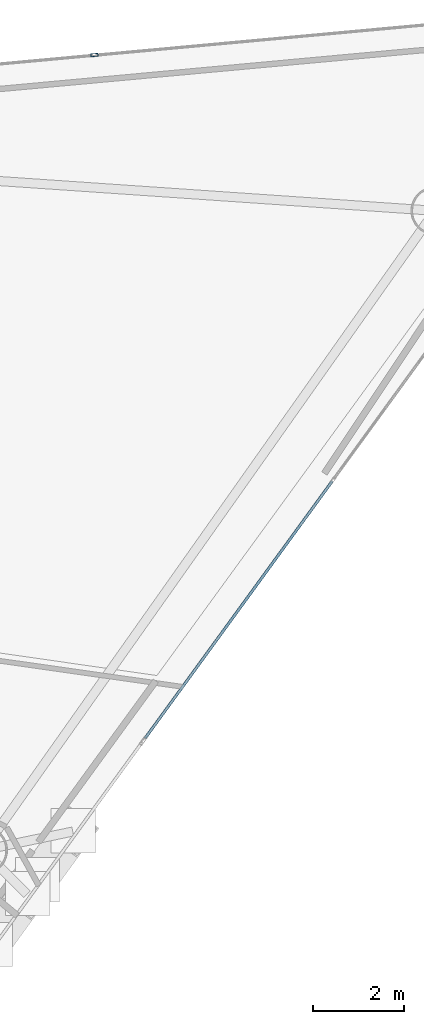
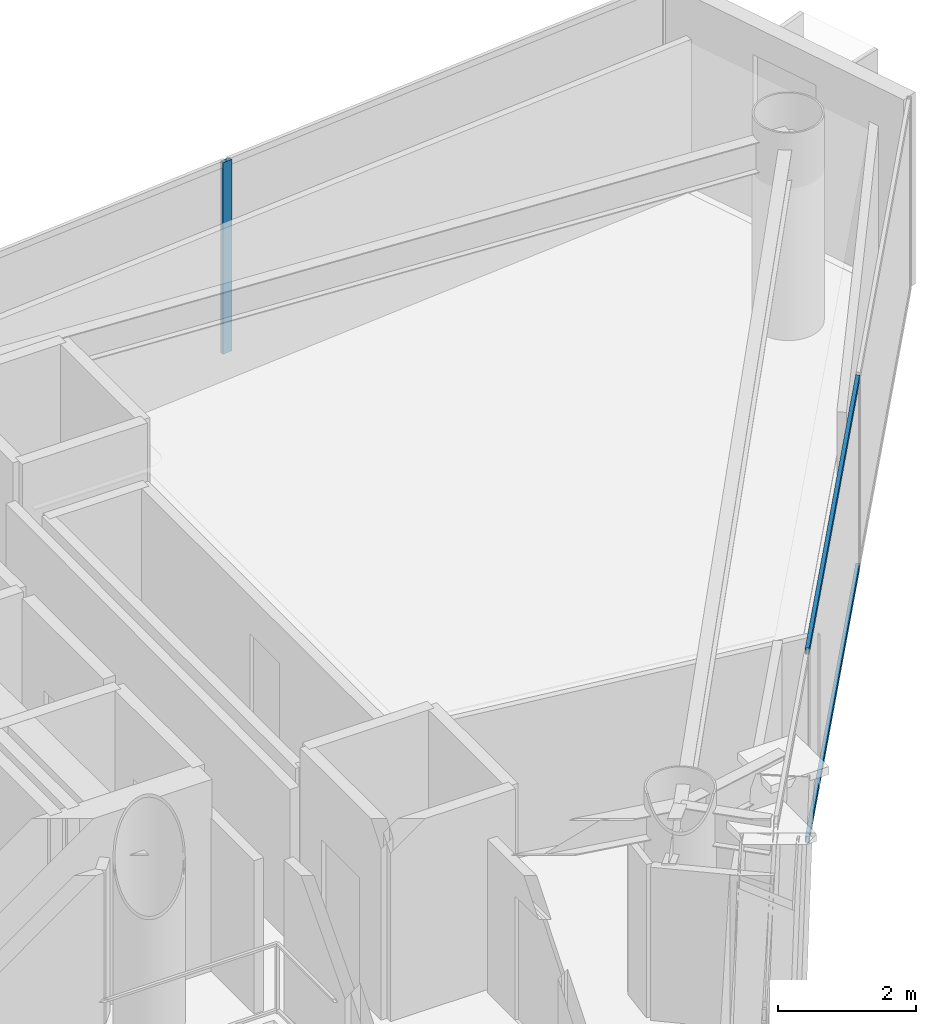
# One storey, part 13 of 21: 3 members, 2 elements without a shape of their own.
"""IFC4 building model written with IfcOpenShell, lengths in metres."""

import ifcopenshell
import ifcopenshell.guid

model = None  # the IFC model being written
_history = None  # IfcOwnerHistory: only IFC2X3 demands one
_inside = {}  # id of a spatial element -> (the spatial element, [elements in it])
_under = {}  # id of a project, library or spatial element -> (it, [spatial elements below it])
_declared = {}  # id of a project -> (the project, [libraries it declares])
_typed = {}  # id of a type object -> (the type object, [elements of that type])
_made_of = {}  # id of a material, layer set ... -> (it, [elements and type objects made of it])


def new_model(schema):
    """Start an empty IFC model of exactly this schema.

    Asked for "IFC4X3", IfcOpenShell would pick the latest addendum, in which some entities
    have other attributes; the version numbers below select the first issue.
    IFC2X3 requires an IfcOwnerHistory on every rooted entity: one is made here for all.
    """
    global model, _history
    if schema == "IFC4X3":
        model = ifcopenshell.file(schema_version=(4, 3, 0, 0))
    else:
        model = ifcopenshell.file(schema=schema)
    _inside.clear()
    _under.clear()
    _declared.clear()
    _typed.clear()
    _made_of.clear()
    _history = None
    if model.schema == "IFC2X3":
        org = make("IfcOrganization", Name="unknown")
        user = make(
            "IfcPersonAndOrganization",
            ThePerson=make("IfcPerson", FamilyName="unknown"),
            TheOrganization=org,
        )
        app = make(
            "IfcApplication",
            ApplicationDeveloper=org,
            Version="unknown",
            ApplicationFullName="unknown",
            ApplicationIdentifier="unknown",
        )
        _history = make(
            "IfcOwnerHistory",
            OwningUser=user,
            OwningApplication=app,
            ChangeAction="ADDED",
            CreationDate=0,
        )
    return model


def make(cls, **values):
    """One entity of the class cls with the attributes given. An attribute that is None is left unset."""
    return model.create_entity(
        cls, **{name: value for name, value in values.items() if value is not None}
    )


def rooted(cls, **values):
    """An entity with a GlobalId (a new one), such as an element, a storey or a relation."""
    return make(cls, GlobalId=ifcopenshell.guid.new(), OwnerHistory=_history, **values)


def si_unit(unit_type, name, prefix=None):
    """IfcSIUnit, for example si_unit("LENGTHUNIT", "METRE", prefix="MILLI")."""
    return make("IfcSIUnit", UnitType=unit_type, Prefix=prefix, Name=name)


def assignment(units):
    """IfcUnitAssignment: the units of a project."""
    return None if units is None else make("IfcUnitAssignment", Units=units)


def point(xyz):
    """IfcCartesianPoint."""
    return None if xyz is None else make("IfcCartesianPoint", Coordinates=xyz)


def direction(xyz):
    """IfcDirection."""
    return None if xyz is None else make("IfcDirection", DirectionRatios=xyz)


def frame(location, z_axis=None, x_axis=None):
    """IfcAxis2Placement3D, a coordinate frame: its origin and axes. An axis left out is left unset."""
    return make(
        "IfcAxis2Placement3D",
        Location=point(location),
        Axis=direction(z_axis),
        RefDirection=direction(x_axis),
    )


def frame_2d(location, x_axis=None):
    """IfcAxis2Placement2D, a coordinate frame in the plane: its origin and x axis."""
    return make(
        "IfcAxis2Placement2D", Location=point(location), RefDirection=direction(x_axis)
    )


def origin():
    """The frame at (0, 0, 0) with its axes left unset."""
    return frame((0.0, 0.0, 0.0))


def origin_2d():
    """The frame at (0, 0) in the plane with its x axis left unset."""
    return frame_2d((0.0, 0.0))


def place(relative_to, where):
    """IfcLocalPlacement: puts the frame where relative to a parent placement (None: the world)."""
    return make(
        "IfcLocalPlacement", PlacementRelTo=relative_to, RelativePlacement=where
    )


def context(
    kind, dimensions, precision=None, world=None, true_north=None, identifier=None
):
    """IfcGeometricRepresentationContext, for example the 3D "Model" context."""
    return make(
        "IfcGeometricRepresentationContext",
        ContextIdentifier=identifier,
        ContextType=kind,
        CoordinateSpaceDimension=dimensions,
        Precision=precision,
        WorldCoordinateSystem=world,
        TrueNorth=true_north,
    )


def subcontext(parent, identifier, kind, view, scale=None):
    """IfcGeometricRepresentationSubContext, for example "Body" below "Model"."""
    return make(
        "IfcGeometricRepresentationSubContext",
        ContextIdentifier=identifier,
        ContextType=kind,
        ParentContext=parent,
        TargetScale=scale,
        TargetView=view,
    )


def project(units=None, contexts=None):
    """IfcProject with its units and contexts."""
    return rooted(
        "IfcProject",
        Name="project",
        RepresentationContexts=contexts,
        UnitsInContext=assignment(units),
    )


def spatial(cls, under=None, at=None, **own):
    """A site, building, storey or space (cls), placed at a placement, below another one or the project."""
    s = rooted(cls, ObjectPlacement=at, **own)
    if under is not None:
        _under.setdefault(under.id(), (under, []))[1].append(s)
    return s


def profile(cls, at=None, kind="AREA", **sizes):
    """A parametric profile (cls). Its sizes go by their IFC names, for example OverallWidth=200.0."""
    return make(cls, ProfileType=kind, Position=at, **sizes)


def hollow_rectangle(**sizes):
    """IfcRectangleHollowProfileDef."""
    return profile("IfcRectangleHollowProfileDef", **sizes)


def extrude(swept, where, along, depth):
    """IfcExtrudedAreaSolid: the profile swept, set in the frame where, extruded along a direction by depth."""
    return make(
        "IfcExtrudedAreaSolid",
        SweptArea=swept,
        Position=where,
        ExtrudedDirection=direction(along),
        Depth=depth,
    )


def shape(context_of_items, identifier, shape_type, items):
    """IfcShapeRepresentation: the items that make up one representation, for example the "Body"."""
    return make(
        "IfcShapeRepresentation",
        ContextOfItems=context_of_items,
        RepresentationIdentifier=identifier,
        RepresentationType=shape_type,
        Items=items,
    )


def material(Name=None, Category=None):
    """IfcMaterial."""
    return make("IfcMaterial", Name=Name, Category=Category)


def layer(
    of_material, thickness, ventilated=None, Name=None, Category=None, Priority=None
):
    """IfcMaterialLayer: one layer of a wall or slab, of a material (None: an air gap)."""
    return make(
        "IfcMaterialLayer",
        Material=of_material,
        LayerThickness=thickness,
        IsVentilated=ventilated,
        Name=Name,
        Category=Category,
        Priority=Priority,
    )


def layer_set(layers, Name=None):
    """IfcMaterialLayerSet."""
    return make("IfcMaterialLayerSet", MaterialLayers=layers, LayerSetName=Name)


def material_profile(
    of_material, cross_section, Name=None, Category=None, Priority=None
):
    """IfcMaterialProfile: a cross section and its material."""
    return make(
        "IfcMaterialProfile",
        Name=Name,
        Material=of_material,
        Profile=cross_section,
        Priority=Priority,
        Category=Category,
    )


def profile_set(profiles, Name=None, composite=None):
    """IfcMaterialProfileSet."""
    return make(
        "IfcMaterialProfileSet",
        Name=Name,
        MaterialProfiles=profiles,
        CompositeProfile=composite,
    )


def made_of(thing, what):
    """Note that an element or type object is made of a material, layer set ...; save() writes the relation."""
    if what is not None:
        _made_of.setdefault(what.id(), (what, []))[1].append(thing)
    return thing


def type_object(cls, material=None, **own):
    """A type object (cls), such as IfcWallType, which elements share."""
    return made_of(rooted(cls, **own), material)


def element(
    cls,
    number,
    at=None,
    inside=None,
    cuts=None,
    type_object=None,
    material=None,
    context=None,
    identifier="Body",
    shape_type=None,
    held_by="IfcProductDefinitionShape",
    body=None,
    shapes=None,
    **own,
):
    """One element of the class cls, such as IfcWall. Its Tag is "e" and its number.

    at: its placement. inside: the storey or other place that contains it. cuts: it is an
    opening in that element (IfcRelVoidsElement). A single representation is given by context,
    identifier, shape_type and body (its items); several are given by shapes. held_by: the class
    of the entity that holds the representations. save() writes the other relations.
    """
    e = rooted(cls, Tag="e%d" % number, ObjectPlacement=at, **own)
    if body is not None:
        shapes = [shape(context, identifier, shape_type, body)]
    if shapes is not None:
        e.Representation = make(held_by, Representations=shapes)
    if inside is not None:
        _inside.setdefault(inside.id(), (inside, []))[1].append(e)
    if cuts is not None:
        rooted(
            "IfcRelVoidsElement", RelatingBuildingElement=cuts, RelatedOpeningElement=e
        )
    if type_object is not None:
        _typed.setdefault(type_object.id(), (type_object, []))[1].append(e)
    return made_of(e, material)


def aggregate(whole, parts):
    """IfcRelAggregates: a whole, such as a stair, and the parts it consists of."""
    return rooted("IfcRelAggregates", RelatingObject=whole, RelatedObjects=parts)


def save(model, path):
    """Write the relations noted so far, then the file.

    IfcRelAggregates (storeys below a building ...), IfcRelContainedInSpatialStructure (elements
    in a storey), IfcRelDefinesByType, IfcRelAssociatesMaterial and IfcRelDeclares: one each for
    every whole, place, type object, material and project.
    """
    for whole, parts in _under.values():
        aggregate(whole, parts)
    for where, things in _inside.values():
        rooted(
            "IfcRelContainedInSpatialStructure",
            RelatedElements=things,
            RelatingStructure=where,
        )
    for kind, things in _typed.values():
        rooted("IfcRelDefinesByType", RelatedObjects=things, RelatingType=kind)
    for what, things in _made_of.values():
        rooted("IfcRelAssociatesMaterial", RelatedObjects=things, RelatingMaterial=what)
    for by, libraries in _declared.values():
        rooted("IfcRelDeclares", RelatingContext=by, RelatedDefinitions=libraries)
    model.write(path)


model = new_model("IFC4")

# Units and contexts
model_context = context("Model", 3, precision=1e-05, world=origin(), true_north=direction((0.0, 1.0)))
body_context = subcontext(model_context, "Body", "Model", "MODEL_VIEW")
ifc_project = project(units=[si_unit("LENGTHUNIT", "METRE"), si_unit("AREAUNIT", "SQUARE_METRE"), si_unit("VOLUMEUNIT", "CUBIC_METRE"), si_unit("PLANEANGLEUNIT", "RADIAN"), si_unit("MASSUNIT", "GRAM", prefix="KILO")], contexts=[model_context])

# Site, building, storey
site_placement = place(None, origin())
site = spatial("IfcSite", under=ifc_project, at=site_placement, CompositionType="ELEMENT")
building_placement = place(site_placement, origin())
building = spatial("IfcBuilding", under=site, at=building_placement, Name="Qianvela Tower", CompositionType="ELEMENT")
storey_placement = place(building_placement, frame((0.0, 0.0, 272.300048828125)))
storey = spatial("IfcBuildingStorey", under=building, at=storey_placement, Name="L70", CompositionType="ELEMENT", Elevation=272.300048828125)

# Curtain wall, member
ifc_material_1 = material(Name="Anodised Architectural Aluminium and Low-E Glass", Category="aluminium")
ifc_layer = layer(ifc_material_1, 0.159912109375)
ifc_layer_set = layer_set([ifc_layer], Name="Anodised Architectural Aluminium and Low-E Glass")
curtain_wall_type = type_object("IfcCurtainWallType", Name="CW-COLIV-Z56", PredefinedType="USERDEFINED", material=ifc_layer_set)
curtain_wall_1_placement = place(storey_placement, origin())
curtain_wall_1 = element("IfcCurtainWall", 1, at=curtain_wall_1_placement, inside=storey, type_object=curtain_wall_type, Name="L70 CW-COLIV-Z56 Curtain Wall 02A", ObjectType="CURTAIN_WALL_SYSTEM", PredefinedType="USERDEFINED")
ifc_material_2 = material(Name="Anodised Architectural Aluminium 6063-T6", Category="aluminium")
ifc_material_profile_1 = material_profile(ifc_material_2, hollow_rectangle(XDim=0.06494140625, YDim=0.159912109375, WallThickness=0.0048828125, at=origin_2d()), Name="ALU-MULL-65x160")
ifc_profile_set_1 = profile_set([ifc_material_profile_1], Name="Anodised Architectural Aluminium 6063-T6")
member_type_1 = type_object("IfcMemberType", Name="CW-COLIV-Z56-MULL", PredefinedType="MULLION", material=ifc_profile_set_1)
member_1_placement = place(storey_placement, frame((47.869873046875, 38.017333984375, 0.0), z_axis=(0.0, 0.0, 1.0), x_axis=(0.091448806675, -0.995809778902, 0.0)))
member_1 = element("IfcMember", 2, at=member_1_placement, type_object=member_type_1, Name="CW-5 mullion 2", PredefinedType="MULLION", context=body_context, shape_type="SweptSolid", body=[
    extrude(hollow_rectangle(XDim=0.06494140625, YDim=0.159912109375, WallThickness=0.0048828125, at=origin_2d()), origin(), (0.0, 0.0, 1.0), 3.39990234375),
])
aggregate(curtain_wall_1, [member_1])

# Curtain wall, members
curtain_wall_2_placement = place(storey_placement, origin())
curtain_wall_2 = element("IfcCurtainWall", 3, at=curtain_wall_2_placement, inside=storey, type_object=curtain_wall_type, Name="L70 CW-COLIV-Z56 Curtain Wall 06C", ObjectType="CURTAIN_WALL_SYSTEM", PredefinedType="USERDEFINED")
ifc_material_3 = material(Name="Anodised Architectural Aluminium 6063-T6", Category="aluminium")
ifc_material_profile_2 = material_profile(ifc_material_3, hollow_rectangle(XDim=0.06005859375, YDim=0.114990234375, WallThickness=0.00390625, at=origin_2d()), Name="ALU-TRAN-60x115")
ifc_profile_set_2 = profile_set([ifc_material_profile_2], Name="Anodised Architectural Aluminium 6063-T6")
member_type_2 = type_object("IfcMemberType", Name="CW-COLIV-Z56-TRAN", PredefinedType="USERDEFINED", material=ifc_profile_set_2)
member_2_placement = place(storey_placement, frame((48.98291015625, 23.052734375, 0.030029296875), z_axis=(0.58845110731, 0.808532803482, 0.0), x_axis=(-0.808532803482, 0.58845110731, 0.0)))
member_2 = element("IfcMember", 4, at=member_2_placement, type_object=member_type_2, Name="CW-5 transom 1.1", ObjectType="TRANSOM", PredefinedType="USERDEFINED", context=body_context, shape_type="SweptSolid", body=[
    extrude(hollow_rectangle(XDim=0.06005859375, YDim=0.114990234375, WallThickness=0.00390625, at=origin_2d()), origin(), (0.0, 0.0, 1.0), 6.9609375),
])
member_3_placement = place(storey_placement, frame((48.98291015625, 23.052734375, 3.369873046875), z_axis=(0.58845110731, 0.808532803482, 0.0), x_axis=(-0.808532803482, 0.58845110731, 0.0)))
member_3 = element("IfcMember", 5, at=member_3_placement, type_object=member_type_2, Name="CW-5 transom 1.2", ObjectType="TRANSOM", PredefinedType="USERDEFINED", context=body_context, shape_type="SweptSolid", body=[
    extrude(hollow_rectangle(XDim=0.06005859375, YDim=0.114990234375, WallThickness=0.00390625, at=origin_2d()), origin(), (0.0, 0.0, 1.0), 6.9609375),
])
aggregate(curtain_wall_2, [member_2, member_3])

save(model, "model.ifc")
